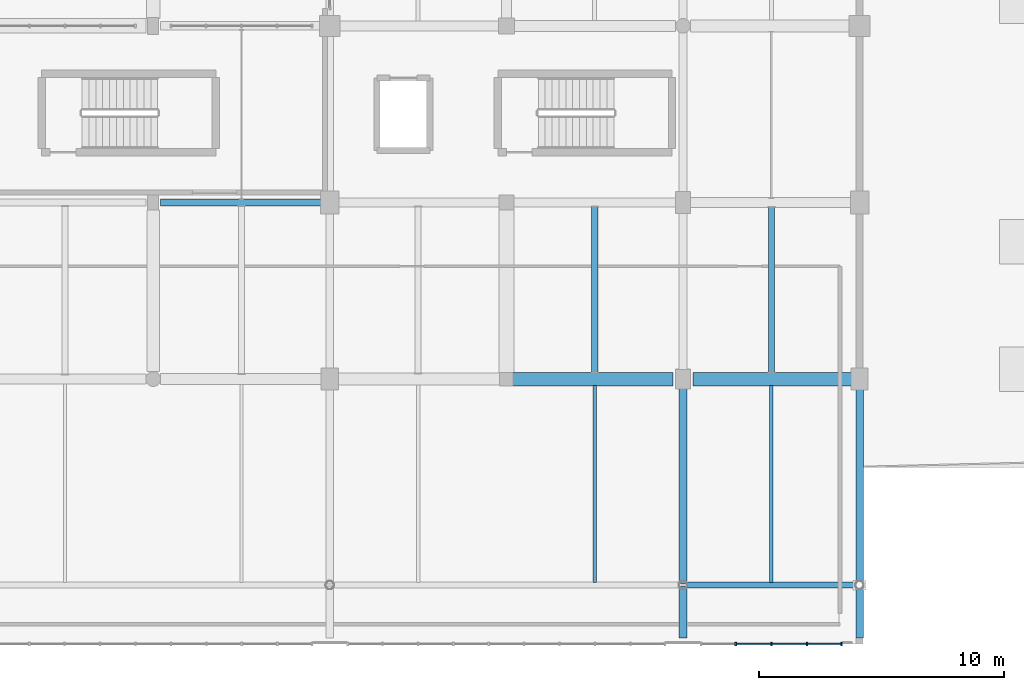
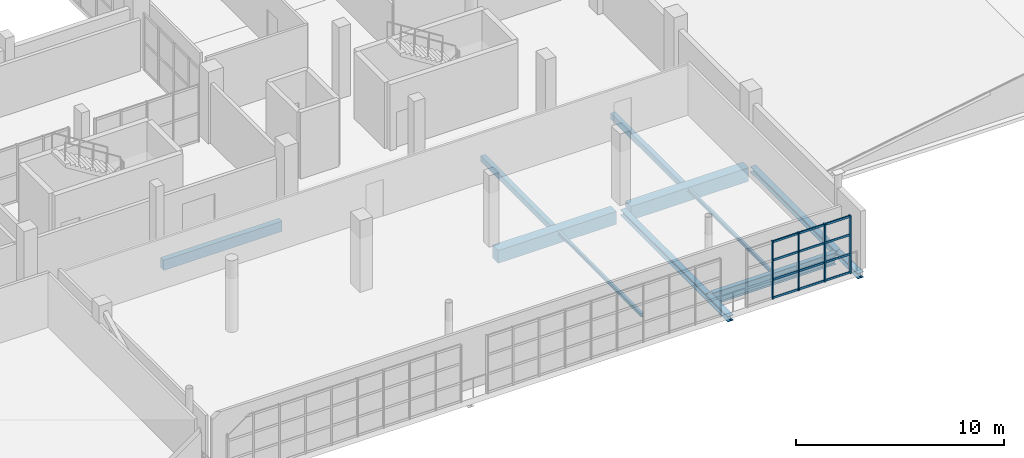
# One storey, part 34 of 90: 16 members, 12 beams, 1 element without a shape of its own.
"""IFC4 building model written with IfcOpenShell, lengths in metres."""

import ifcopenshell
import ifcopenshell.guid

model = None  # the IFC model being written
_history = None  # IfcOwnerHistory: only IFC2X3 demands one
_inside = {}  # id of a spatial element -> (the spatial element, [elements in it])
_under = {}  # id of a project, library or spatial element -> (it, [spatial elements below it])
_declared = {}  # id of a project -> (the project, [libraries it declares])
_typed = {}  # id of a type object -> (the type object, [elements of that type])
_made_of = {}  # id of a material, layer set ... -> (it, [elements and type objects made of it])


def new_model(schema):
    """Start an empty IFC model of exactly this schema.

    Asked for "IFC4X3", IfcOpenShell would pick the latest addendum, in which some entities
    have other attributes; the version numbers below select the first issue.
    IFC2X3 requires an IfcOwnerHistory on every rooted entity: one is made here for all.
    """
    global model, _history
    if schema == "IFC4X3":
        model = ifcopenshell.file(schema_version=(4, 3, 0, 0))
    else:
        model = ifcopenshell.file(schema=schema)
    _inside.clear()
    _under.clear()
    _declared.clear()
    _typed.clear()
    _made_of.clear()
    _history = None
    if model.schema == "IFC2X3":
        org = make("IfcOrganization", Name="unknown")
        user = make(
            "IfcPersonAndOrganization",
            ThePerson=make("IfcPerson", FamilyName="unknown"),
            TheOrganization=org,
        )
        app = make(
            "IfcApplication",
            ApplicationDeveloper=org,
            Version="unknown",
            ApplicationFullName="unknown",
            ApplicationIdentifier="unknown",
        )
        _history = make(
            "IfcOwnerHistory",
            OwningUser=user,
            OwningApplication=app,
            ChangeAction="ADDED",
            CreationDate=0,
        )
    return model


def make(cls, **values):
    """One entity of the class cls with the attributes given. An attribute that is None is left unset."""
    return model.create_entity(
        cls, **{name: value for name, value in values.items() if value is not None}
    )


def rooted(cls, **values):
    """An entity with a GlobalId (a new one), such as an element, a storey or a relation."""
    return make(cls, GlobalId=ifcopenshell.guid.new(), OwnerHistory=_history, **values)


def si_unit(unit_type, name, prefix=None):
    """IfcSIUnit, for example si_unit("LENGTHUNIT", "METRE", prefix="MILLI")."""
    return make("IfcSIUnit", UnitType=unit_type, Prefix=prefix, Name=name)


def assignment(units):
    """IfcUnitAssignment: the units of a project."""
    return None if units is None else make("IfcUnitAssignment", Units=units)


def point(xyz):
    """IfcCartesianPoint."""
    return None if xyz is None else make("IfcCartesianPoint", Coordinates=xyz)


def direction(xyz):
    """IfcDirection."""
    return None if xyz is None else make("IfcDirection", DirectionRatios=xyz)


def frame(location, z_axis=None, x_axis=None):
    """IfcAxis2Placement3D, a coordinate frame: its origin and axes. An axis left out is left unset."""
    return make(
        "IfcAxis2Placement3D",
        Location=point(location),
        Axis=direction(z_axis),
        RefDirection=direction(x_axis),
    )


def frame_2d(location, x_axis=None):
    """IfcAxis2Placement2D, a coordinate frame in the plane: its origin and x axis."""
    return make(
        "IfcAxis2Placement2D", Location=point(location), RefDirection=direction(x_axis)
    )


def origin():
    """The frame at (0, 0, 0) with its axes left unset."""
    return frame((0.0, 0.0, 0.0))


def origin_2d():
    """The frame at (0, 0) in the plane with its x axis left unset."""
    return frame_2d((0.0, 0.0))


def place(relative_to, where):
    """IfcLocalPlacement: puts the frame where relative to a parent placement (None: the world)."""
    return make(
        "IfcLocalPlacement", PlacementRelTo=relative_to, RelativePlacement=where
    )


def context(
    kind, dimensions, precision=None, world=None, true_north=None, identifier=None
):
    """IfcGeometricRepresentationContext, for example the 3D "Model" context."""
    return make(
        "IfcGeometricRepresentationContext",
        ContextIdentifier=identifier,
        ContextType=kind,
        CoordinateSpaceDimension=dimensions,
        Precision=precision,
        WorldCoordinateSystem=world,
        TrueNorth=true_north,
    )


def subcontext(parent, identifier, kind, view, scale=None):
    """IfcGeometricRepresentationSubContext, for example "Body" below "Model"."""
    return make(
        "IfcGeometricRepresentationSubContext",
        ContextIdentifier=identifier,
        ContextType=kind,
        ParentContext=parent,
        TargetScale=scale,
        TargetView=view,
    )


def project(units=None, contexts=None):
    """IfcProject with its units and contexts."""
    return rooted(
        "IfcProject",
        Name="project",
        RepresentationContexts=contexts,
        UnitsInContext=assignment(units),
    )


def spatial(cls, under=None, at=None, **own):
    """A site, building, storey or space (cls), placed at a placement, below another one or the project."""
    s = rooted(cls, ObjectPlacement=at, **own)
    if under is not None:
        _under.setdefault(under.id(), (under, []))[1].append(s)
    return s


def profile(cls, at=None, kind="AREA", **sizes):
    """A parametric profile (cls). Its sizes go by their IFC names, for example OverallWidth=200.0."""
    return make(cls, ProfileType=kind, Position=at, **sizes)


def rectangle(**sizes):
    """IfcRectangleProfileDef."""
    return profile("IfcRectangleProfileDef", **sizes)


def hollow_rectangle(**sizes):
    """IfcRectangleHollowProfileDef."""
    return profile("IfcRectangleHollowProfileDef", **sizes)


def i_section(**sizes):
    """IfcIShapeProfileDef."""
    return profile("IfcIShapeProfileDef", **sizes)


def extrude(swept, where, along, depth):
    """IfcExtrudedAreaSolid: the profile swept, set in the frame where, extruded along a direction by depth."""
    return make(
        "IfcExtrudedAreaSolid",
        SweptArea=swept,
        Position=where,
        ExtrudedDirection=direction(along),
        Depth=depth,
    )


def shape(context_of_items, identifier, shape_type, items):
    """IfcShapeRepresentation: the items that make up one representation, for example the "Body"."""
    return make(
        "IfcShapeRepresentation",
        ContextOfItems=context_of_items,
        RepresentationIdentifier=identifier,
        RepresentationType=shape_type,
        Items=items,
    )


def material(Name=None, Category=None):
    """IfcMaterial."""
    return make("IfcMaterial", Name=Name, Category=Category)


def material_profile(
    of_material, cross_section, Name=None, Category=None, Priority=None
):
    """IfcMaterialProfile: a cross section and its material."""
    return make(
        "IfcMaterialProfile",
        Name=Name,
        Material=of_material,
        Profile=cross_section,
        Priority=Priority,
        Category=Category,
    )


def profile_set(profiles, Name=None, composite=None):
    """IfcMaterialProfileSet."""
    return make(
        "IfcMaterialProfileSet",
        Name=Name,
        MaterialProfiles=profiles,
        CompositeProfile=composite,
    )


def made_of(thing, what):
    """Note that an element or type object is made of a material, layer set ...; save() writes the relation."""
    if what is not None:
        _made_of.setdefault(what.id(), (what, []))[1].append(thing)
    return thing


def type_object(cls, material=None, **own):
    """A type object (cls), such as IfcWallType, which elements share."""
    return made_of(rooted(cls, **own), material)


def element(
    cls,
    number,
    at=None,
    inside=None,
    cuts=None,
    type_object=None,
    material=None,
    context=None,
    identifier="Body",
    shape_type=None,
    held_by="IfcProductDefinitionShape",
    body=None,
    shapes=None,
    **own,
):
    """One element of the class cls, such as IfcWall. Its Tag is "e" and its number.

    at: its placement. inside: the storey or other place that contains it. cuts: it is an
    opening in that element (IfcRelVoidsElement). A single representation is given by context,
    identifier, shape_type and body (its items); several are given by shapes. held_by: the class
    of the entity that holds the representations. save() writes the other relations.
    """
    e = rooted(cls, Tag="e%d" % number, ObjectPlacement=at, **own)
    if body is not None:
        shapes = [shape(context, identifier, shape_type, body)]
    if shapes is not None:
        e.Representation = make(held_by, Representations=shapes)
    if inside is not None:
        _inside.setdefault(inside.id(), (inside, []))[1].append(e)
    if cuts is not None:
        rooted(
            "IfcRelVoidsElement", RelatingBuildingElement=cuts, RelatedOpeningElement=e
        )
    if type_object is not None:
        _typed.setdefault(type_object.id(), (type_object, []))[1].append(e)
    return made_of(e, material)


def aggregate(whole, parts):
    """IfcRelAggregates: a whole, such as a stair, and the parts it consists of."""
    return rooted("IfcRelAggregates", RelatingObject=whole, RelatedObjects=parts)


def save(model, path):
    """Write the relations noted so far, then the file.

    IfcRelAggregates (storeys below a building ...), IfcRelContainedInSpatialStructure (elements
    in a storey), IfcRelDefinesByType, IfcRelAssociatesMaterial and IfcRelDeclares: one each for
    every whole, place, type object, material and project.
    """
    for whole, parts in _under.values():
        aggregate(whole, parts)
    for where, things in _inside.values():
        rooted(
            "IfcRelContainedInSpatialStructure",
            RelatedElements=things,
            RelatingStructure=where,
        )
    for kind, things in _typed.values():
        rooted("IfcRelDefinesByType", RelatedObjects=things, RelatingType=kind)
    for what, things in _made_of.values():
        rooted("IfcRelAssociatesMaterial", RelatedObjects=things, RelatingMaterial=what)
    for by, libraries in _declared.values():
        rooted("IfcRelDeclares", RelatingContext=by, RelatedDefinitions=libraries)
    model.write(path)


model = new_model("IFC4")

# Units and contexts
model_context = context("Model", 3, precision=1e-05, world=origin(), true_north=direction((0.0, 1.0)))
body_context = subcontext(model_context, "Body", "Model", "MODEL_VIEW")
ifc_project = project(units=[si_unit("LENGTHUNIT", "METRE"), si_unit("AREAUNIT", "SQUARE_METRE"), si_unit("VOLUMEUNIT", "CUBIC_METRE"), si_unit("PLANEANGLEUNIT", "RADIAN"), si_unit("MASSUNIT", "GRAM", prefix="KILO")], contexts=[model_context])

# Site, building, storey
site_placement = place(None, origin())
site = spatial("IfcSite", under=ifc_project, at=site_placement, CompositionType="ELEMENT")
building_placement = place(site_placement, origin())
building = spatial("IfcBuilding", under=site, at=building_placement, Name="Solanera Park Tramway Depot", CompositionType="ELEMENT")
storey_placement = place(building_placement, frame((0.0, 0.0, 9.0)))
storey = spatial("IfcBuildingStorey", under=building, at=storey_placement, Name="L02", CompositionType="ELEMENT", Elevation=9.0)

# Curtain wall, members
ifc_material_1 = material(Name="Bronze-anodised thermally broken aluminium curtain wall", Category="aluminium")
curtain_wall_type = type_object("IfcCurtainWallType", Name="Cantilevered OCC Inclined Glazing Wall", PredefinedType="NOTDEFINED", material=ifc_material_1)
curtain_wall_placement = place(storey_placement, origin())
curtain_wall = element("IfcCurtainWall", 1, at=curtain_wall_placement, inside=storey, type_object=curtain_wall_type, Name="L02 Cantilevered OCC Inclined Glazing Wall #120", PredefinedType="NOTDEFINED")
ifc_material_2 = material(Name="Bronze-anodised structural aluminium 6063-T6", Category="aluminium")
ifc_material_profile_1 = material_profile(ifc_material_2, rectangle(XDim=0.06494140625, YDim=0.14990234375, at=origin_2d()), Name="Curtain Wall Mullion 65x150")
ifc_profile_set_1 = profile_set([ifc_material_profile_1], Name="Bronze-anodised structural aluminium 6063-T6")
member_type_1 = type_object("IfcMemberType", Name="Curtain Wall Mullion 65x150", PredefinedType="MULLION", material=ifc_profile_set_1)
member_1_placement = place(storey_placement, frame((182.14990234375, 0.0, 0.0), z_axis=(0.0, 0.0, 1.0), x_axis=(1.0, 0.0, 0.0)))
member_1 = element("IfcMember", 2, at=member_1_placement, type_object=member_type_1, Name="CW-L02-120 Mullion 2", PredefinedType="MULLION", context=body_context, shape_type="SweptSolid", body=[
    extrude(rectangle(XDim=0.06494140625, YDim=0.14990234375, at=origin_2d()), origin(), (0.0, 0.0, 1.0), 3.39990234375),
])
member_2_placement = place(storey_placement, frame((183.60009765625, 0.0, 0.0), z_axis=(0.0, 0.0, 1.0), x_axis=(1.0, 0.0, 0.0)))
member_2 = element("IfcMember", 3, at=member_2_placement, type_object=member_type_1, Name="CW-L02-120 Mullion 3", PredefinedType="MULLION", context=body_context, shape_type="SweptSolid", body=[
    extrude(rectangle(XDim=0.06494140625, YDim=0.14990234375, at=origin_2d()), origin(), (0.0, 0.0, 1.0), 3.39990234375),
])
member_3_placement = place(storey_placement, frame((185.050048828125, 0.0, 0.0), z_axis=(0.0, 0.0, 1.0), x_axis=(1.0, 0.0, 0.0)))
member_3 = element("IfcMember", 4, at=member_3_placement, type_object=member_type_1, Name="CW-L02-120 Mullion 4", PredefinedType="MULLION", context=body_context, shape_type="SweptSolid", body=[
    extrude(rectangle(XDim=0.06494140625, YDim=0.14990234375, at=origin_2d()), origin(), (0.0, 0.0, 1.0), 3.39990234375),
])
member_4_placement = place(storey_placement, frame((186.467529296875, 0.0, 0.0), z_axis=(0.0, 0.0, 1.0), x_axis=(1.0, 0.0, 0.0)))
member_4 = element("IfcMember", 5, at=member_4_placement, type_object=member_type_1, Name="CW-L02-120 Mullion 5", PredefinedType="MULLION", context=body_context, shape_type="SweptSolid", body=[
    extrude(rectangle(XDim=0.06494140625, YDim=0.14990234375, at=origin_2d()), origin(), (0.0, 0.0, 1.0), 3.39990234375),
])
ifc_material_3 = material(Name="Bronze-anodised structural aluminium 6063-T6", Category="aluminium")
ifc_material_profile_2 = material_profile(ifc_material_3, rectangle(XDim=0.06494140625, YDim=0.1201171875, at=origin_2d()), Name="Curtain Wall Transom 65x120")
ifc_profile_set_2 = profile_set([ifc_material_profile_2], Name="Bronze-anodised structural aluminium 6063-T6")
member_type_2 = type_object("IfcMemberType", Name="Curtain Wall Transom 65x120", PredefinedType="USERDEFINED", material=ifc_profile_set_2)
member_5_placement = place(storey_placement, frame((182.177978515625, 0.0, 0.06005859375), z_axis=(1.0, 0.0, 0.0), x_axis=(0.0, 1.0, 0.0)))
member_5 = element("IfcMember", 6, at=member_5_placement, type_object=member_type_2, Name="CW-L02-120 Transom R1.C2", ObjectType="TRANSOM", PredefinedType="USERDEFINED", context=body_context, shape_type="SweptSolid", body=[
    extrude(rectangle(XDim=0.06494140625, YDim=0.1201171875, at=origin_2d()), origin(), (0.0, 0.0, 1.0), 1.39404296875),
])
member_6_placement = place(storey_placement, frame((183.6279296875, 0.0, 0.06005859375), z_axis=(1.0, 0.0, 0.0), x_axis=(0.0, 1.0, 0.0)))
member_6 = element("IfcMember", 7, at=member_6_placement, type_object=member_type_2, Name="CW-L02-120 Transom R1.C3", ObjectType="TRANSOM", PredefinedType="USERDEFINED", context=body_context, shape_type="SweptSolid", body=[
    extrude(rectangle(XDim=0.06494140625, YDim=0.1201171875, at=origin_2d()), origin(), (0.0, 0.0, 1.0), 1.39404296875),
])
member_7_placement = place(storey_placement, frame((185.077880859375, 0.0, 0.06005859375), z_axis=(1.0, 0.0, 0.0), x_axis=(0.0, 1.0, 0.0)))
member_7 = element("IfcMember", 8, at=member_7_placement, type_object=member_type_2, Name="CW-L02-120 Transom R1.C4", ObjectType="TRANSOM", PredefinedType="USERDEFINED", context=body_context, shape_type="SweptSolid", body=[
    extrude(rectangle(XDim=0.06494140625, YDim=0.1201171875, at=origin_2d()), origin(), (0.0, 0.0, 1.0), 1.361572265625),
])
member_8_placement = place(storey_placement, frame((182.177978515625, 0.0, 1.13330078125), z_axis=(1.0, 0.0, 0.0), x_axis=(0.0, 1.0, 0.0)))
member_8 = element("IfcMember", 9, at=member_8_placement, type_object=member_type_2, Name="CW-L02-120 Transom R2.C2", ObjectType="TRANSOM", PredefinedType="USERDEFINED", context=body_context, shape_type="SweptSolid", body=[
    extrude(rectangle(XDim=0.06494140625, YDim=0.1201171875, at=origin_2d()), origin(), (0.0, 0.0, 1.0), 1.39404296875),
])
member_9_placement = place(storey_placement, frame((183.6279296875, 0.0, 1.13330078125), z_axis=(1.0, 0.0, 0.0), x_axis=(0.0, 1.0, 0.0)))
member_9 = element("IfcMember", 10, at=member_9_placement, type_object=member_type_2, Name="CW-L02-120 Transom R2.C3", ObjectType="TRANSOM", PredefinedType="USERDEFINED", context=body_context, shape_type="SweptSolid", body=[
    extrude(rectangle(XDim=0.06494140625, YDim=0.1201171875, at=origin_2d()), origin(), (0.0, 0.0, 1.0), 1.39404296875),
])
member_10_placement = place(storey_placement, frame((185.077880859375, 0.0, 1.13330078125), z_axis=(1.0, 0.0, 0.0), x_axis=(0.0, 1.0, 0.0)))
member_10 = element("IfcMember", 11, at=member_10_placement, type_object=member_type_2, Name="CW-L02-120 Transom R2.C4", ObjectType="TRANSOM", PredefinedType="USERDEFINED", context=body_context, shape_type="SweptSolid", body=[
    extrude(rectangle(XDim=0.06494140625, YDim=0.1201171875, at=origin_2d()), origin(), (0.0, 0.0, 1.0), 1.361572265625),
])
member_11_placement = place(storey_placement, frame((182.177978515625, 0.0, 2.2666015625), z_axis=(1.0, 0.0, 0.0), x_axis=(0.0, 1.0, 0.0)))
member_11 = element("IfcMember", 12, at=member_11_placement, type_object=member_type_2, Name="CW-L02-120 Transom R3.C2", ObjectType="TRANSOM", PredefinedType="USERDEFINED", context=body_context, shape_type="SweptSolid", body=[
    extrude(rectangle(XDim=0.06494140625, YDim=0.1201171875, at=origin_2d()), origin(), (0.0, 0.0, 1.0), 1.39404296875),
])
member_12_placement = place(storey_placement, frame((183.6279296875, 0.0, 2.2666015625), z_axis=(1.0, 0.0, 0.0), x_axis=(0.0, 1.0, 0.0)))
member_12 = element("IfcMember", 13, at=member_12_placement, type_object=member_type_2, Name="CW-L02-120 Transom R3.C3", ObjectType="TRANSOM", PredefinedType="USERDEFINED", context=body_context, shape_type="SweptSolid", body=[
    extrude(rectangle(XDim=0.06494140625, YDim=0.1201171875, at=origin_2d()), origin(), (0.0, 0.0, 1.0), 1.39404296875),
])
member_13_placement = place(storey_placement, frame((185.077880859375, 0.0, 2.2666015625), z_axis=(1.0, 0.0, 0.0), x_axis=(0.0, 1.0, 0.0)))
member_13 = element("IfcMember", 14, at=member_13_placement, type_object=member_type_2, Name="CW-L02-120 Transom R3.C4", ObjectType="TRANSOM", PredefinedType="USERDEFINED", context=body_context, shape_type="SweptSolid", body=[
    extrude(rectangle(XDim=0.06494140625, YDim=0.1201171875, at=origin_2d()), origin(), (0.0, 0.0, 1.0), 1.361572265625),
])
member_14_placement = place(storey_placement, frame((182.177978515625, 0.0, 3.340087890625), z_axis=(1.0, 0.0, 0.0), x_axis=(0.0, 1.0, 0.0)))
member_14 = element("IfcMember", 15, at=member_14_placement, type_object=member_type_2, Name="CW-L02-120 Transom R4.C2", ObjectType="TRANSOM", PredefinedType="USERDEFINED", context=body_context, shape_type="SweptSolid", body=[
    extrude(rectangle(XDim=0.06494140625, YDim=0.1201171875, at=origin_2d()), origin(), (0.0, 0.0, 1.0), 1.39404296875),
])
member_15_placement = place(storey_placement, frame((183.6279296875, 0.0, 3.340087890625), z_axis=(1.0, 0.0, 0.0), x_axis=(0.0, 1.0, 0.0)))
member_15 = element("IfcMember", 16, at=member_15_placement, type_object=member_type_2, Name="CW-L02-120 Transom R4.C3", ObjectType="TRANSOM", PredefinedType="USERDEFINED", context=body_context, shape_type="SweptSolid", body=[
    extrude(rectangle(XDim=0.06494140625, YDim=0.1201171875, at=origin_2d()), origin(), (0.0, 0.0, 1.0), 1.39404296875),
])
member_16_placement = place(storey_placement, frame((185.077880859375, 0.0, 3.340087890625), z_axis=(1.0, 0.0, 0.0), x_axis=(0.0, 1.0, 0.0)))
member_16 = element("IfcMember", 17, at=member_16_placement, type_object=member_type_2, Name="CW-L02-120 Transom R4.C4", ObjectType="TRANSOM", PredefinedType="USERDEFINED", context=body_context, shape_type="SweptSolid", body=[
    extrude(rectangle(XDim=0.06494140625, YDim=0.1201171875, at=origin_2d()), origin(), (0.0, 0.0, 1.0), 1.361572265625),
])
aggregate(curtain_wall, [member_1, member_2, member_3, member_4, member_5, member_6, member_7, member_8, member_9, member_10, member_11, member_12, member_13, member_14, member_15, member_16])

# Beams
ifc_material_4 = material(Name="Concrete N40 (C40/50)", Category="concrete")
ifc_material_profile_3 = material_profile(ifc_material_4, rectangle(XDim=0.300048828125, YDim=0.60009765625, at=origin_2d()), Name="RCB 300x600")
ifc_profile_set_3 = profile_set([ifc_material_profile_3], Name="Concrete N40 (C40/50)")
beam_type_1 = type_object("IfcBeamType", Name="RC Floor Beam RCB 300x600", PredefinedType="BEAM", material=ifc_profile_set_3)
beam_1_placement = place(storey_placement, frame((158.699951171875, 18.0, -0.6640625), z_axis=(1.0, 0.0, 0.0), x_axis=(0.0, 1.0, 0.0)))
element("IfcBeam", 18, at=beam_1_placement, inside=storey, type_object=beam_type_1, Name="L02 Primary X-Girder RCB 300x600 #0116", PredefinedType="BEAM", context=body_context, shape_type="SweptSolid", body=[
    extrude(rectangle(XDim=0.300048828125, YDim=0.60009765625, at=origin_2d()), origin(), (0.0, 0.0, 1.0), 6.574951171875),
])
ifc_material_5 = material(Name="Concrete N40 (C40/50)", Category="concrete")
ifc_material_profile_4 = material_profile(ifc_material_5, rectangle(XDim=0.550048828125, YDim=0.75, at=origin_2d()), Name="RCB 550x750")
ifc_profile_set_4 = profile_set([ifc_material_profile_4], Name="Concrete N40 (C40/50)")
beam_type_2 = type_object("IfcBeamType", Name="RC Floor Beam RCB 550x750", PredefinedType="BEAM", material=ifc_profile_set_4)
beam_2_placement = place(storey_placement, frame((173.02490234375, 10.800048828125, -0.739013671875), z_axis=(1.0, 0.0, 0.0), x_axis=(0.0, 1.0, 0.0)))
element("IfcBeam", 19, at=beam_2_placement, inside=storey, type_object=beam_type_2, Name="L02 Primary X-Girder RCB 550x750 #0107", PredefinedType="BEAM", context=body_context, shape_type="SweptSolid", body=[
    extrude(rectangle(XDim=0.550048828125, YDim=0.75, at=origin_2d()), origin(), (0.0, 0.0, 1.0), 6.5751953125),
])
ifc_material_6 = material(Name="Concrete N40 (C40/50)", Category="concrete")
ifc_material_profile_5 = material_profile(ifc_material_6, rectangle(XDim=0.550048828125, YDim=0.800048828125, at=origin_2d()), Name="RCB 550x800")
ifc_profile_set_5 = profile_set([ifc_material_profile_5], Name="Concrete N40 (C40/50)")
beam_type_3 = type_object("IfcBeamType", Name="RC Floor Beam RCB 550x800", PredefinedType="BEAM", material=ifc_profile_set_5)
beam_3_placement = place(storey_placement, frame((180.39990234375, 10.800048828125, -0.763916015625), z_axis=(1.0, 0.0, 0.0), x_axis=(0.0, 1.0, 0.0)))
element("IfcBeam", 20, at=beam_3_placement, inside=storey, type_object=beam_type_3, Name="L02 Primary X-Girder RCB 550x800 #0108", PredefinedType="BEAM", context=body_context, shape_type="SweptSolid", body=[
    extrude(rectangle(XDim=0.550048828125, YDim=0.800048828125, at=origin_2d()), origin(), (0.0, 0.0, 1.0), 6.525146484375),
])
ifc_material_7 = material(Name="Steel AS/NZS 3679.1 Grade 350", Category="steel")
ifc_material_profile_6 = material_profile(ifc_material_7, i_section(OverallWidth=0.310546875, OverallDepth=0.3271484375, WebThickness=0.015625, FlangeThickness=0.02490234375, at=origin_2d()), Name="310UC158")
ifc_profile_set_6 = profile_set([ifc_material_profile_6], Name="Steel AS/NZS 3679.1 Grade 350")
beam_type_4 = type_object("IfcBeamType", Name="Steel Beam 310UC158", PredefinedType="BEAM", material=ifc_profile_set_6)
beam_4_placement = place(storey_placement, frame((180.0, 0.25, -0.550048828125), z_axis=(0.0, 1.0, 0.0), x_axis=(-1.0, 0.0, 0.0)))
element("IfcBeam", 21, at=beam_4_placement, inside=storey, type_object=beam_type_4, Name="L02 Transfer Truss Nose Cantilever 310UC158 #0338", PredefinedType="BEAM", context=body_context, shape_type="SweptSolid", body=[
    extrude(i_section(OverallWidth=0.310546875, OverallDepth=0.3271484375, WebThickness=0.015625, FlangeThickness=0.02490234375, at=origin_2d()), origin(), (0.0, 0.0, 1.0), 2.110107421875),
])
beam_5_placement = place(storey_placement, frame((180.0, 2.43994140625, -0.550048828125), z_axis=(0.0, 1.0, 0.0), x_axis=(-1.0, 0.0, 0.0)))
element("IfcBeam", 22, at=beam_5_placement, inside=storey, type_object=beam_type_4, Name="L02 Transfer Truss Overhang Chord 310UC158 #0339", PredefinedType="BEAM", context=body_context, shape_type="SweptSolid", body=[
    extrude(i_section(OverallWidth=0.310546875, OverallDepth=0.3271484375, WebThickness=0.015625, FlangeThickness=0.02490234375, at=origin_2d()), origin(), (0.0, 0.0, 1.0), 8.16015625),
])
beam_6_placement = place(storey_placement, frame((187.199951171875, 0.25, -0.550048828125), z_axis=(0.0, 1.0, 0.0), x_axis=(-1.0, 0.0, 0.0)))
element("IfcBeam", 23, at=beam_6_placement, inside=storey, type_object=beam_type_4, Name="L02 Azotea Nose Cantilever 310UC158 #0350", PredefinedType="BEAM", context=body_context, shape_type="SweptSolid", body=[
    extrude(i_section(OverallWidth=0.310546875, OverallDepth=0.3271484375, WebThickness=0.015625, FlangeThickness=0.02490234375, at=origin_2d()), origin(), (0.0, 0.0, 1.0), 2.110107421875),
])
beam_7_placement = place(storey_placement, frame((187.199951171875, 2.43994140625, -0.550048828125), z_axis=(0.0, 1.0, 0.0), x_axis=(-1.0, 0.0, 0.0)))
element("IfcBeam", 24, at=beam_7_placement, inside=storey, type_object=beam_type_4, Name="L02 Azotea Backspan Tie Girder 310UC158 #0351", PredefinedType="BEAM", context=body_context, shape_type="SweptSolid", body=[
    extrude(i_section(OverallWidth=0.310546875, OverallDepth=0.3271484375, WebThickness=0.015625, FlangeThickness=0.02490234375, at=origin_2d()), origin(), (0.0, 0.0, 1.0), 8.16015625),
])
ifc_material_8 = material(Name="Steel AS/NZS 3679.1 Grade 350", Category="steel")
ifc_material_profile_7 = material_profile(ifc_material_8, i_section(OverallWidth=0.25, OverallDepth=0.699951171875, WebThickness=0.010009765625, FlangeThickness=0.02001953125, at=origin_2d()), Name="700WB130")
ifc_profile_set_7 = profile_set([ifc_material_profile_7], Name="Steel AS/NZS 3679.1 Grade 350")
beam_type_5 = type_object("IfcBeamType", Name="Steel Beam 700WB130", PredefinedType="BEAM", material=ifc_profile_set_7)
beam_8_placement = place(storey_placement, frame((180.179931640625, 2.39990234375, -0.715087890625), z_axis=(1.0, 0.0, 0.0), x_axis=(0.0, 1.0, 0.0)))
element("IfcBeam", 25, at=beam_8_placement, inside=storey, type_object=beam_type_5, Name="L02 Head-Block Transfer Tie Girder 700WB130 #0365", PredefinedType="BEAM", context=body_context, shape_type="SweptSolid", body=[
    extrude(i_section(OverallWidth=0.25, OverallDepth=0.699951171875, WebThickness=0.010009765625, FlangeThickness=0.02001953125, at=origin_2d()), origin(), (0.0, 0.0, 1.0), 6.840087890625),
])
ifc_material_9 = material(Name="Steel AS/NZS 3679.1 Grade 350", Category="steel")
ifc_material_profile_8 = material_profile(ifc_material_9, i_section(OverallWidth=0.13330078125, OverallDepth=0.203125, WebThickness=0.005859375, FlangeThickness=0.0078125, at=origin_2d()), Name="200UB25.4")
ifc_profile_set_8 = profile_set([ifc_material_profile_8], Name="Steel AS/NZS 3679.1 Grade 350")
beam_type_6 = type_object("IfcBeamType", Name="Steel Joist Purlin 200UB25.4", PredefinedType="JOIST", material=ifc_profile_set_8)
for number, where, z_axis, x_axis, name in (
    (26, (176.39990234375, 2.51708984375, -0.465576171875), (0.0, 1.0, 0.0), (-1.0, 0.0, 0.0), "L02 Secondary Floor Joist 200UB25.4 #0169"),
    (27, (183.60009765625, 2.51708984375, -0.465576171875), (0.0, 1.0, 0.0), (-1.0, 0.0, 0.0), "L02 Secondary Floor Joist 200UB25.4 #0170"),
):
    element("IfcBeam", number, at=place(storey_placement, frame(where, z_axis=z_axis, x_axis=x_axis)), inside=storey, type_object=beam_type_6, Name=name, PredefinedType="JOIST", context=body_context, shape_type="SweptSolid", body=[
        extrude(i_section(OverallWidth=0.13330078125, OverallDepth=0.203125, WebThickness=0.005859375, FlangeThickness=0.0078125, at=origin_2d()), origin(), (0.0, 0.0, 1.0), 8.015869140625),
    ])
ifc_material_10 = material(Name="Steel AS/NZS 1163 Grade C350L0", Category="steel")
ifc_material_profile_9 = material_profile(ifc_material_10, hollow_rectangle(XDim=0.25, YDim=0.35009765625, WallThickness=0.010009765625, at=origin_2d()), Name="350x250x10.0 RHS")
ifc_profile_set_9 = profile_set([ifc_material_profile_9], Name="Steel AS/NZS 1163 Grade C350L0")
beam_type_7 = type_object("IfcBeamType", Name="Steel Joist Purlin 350x250x10.0 RHS", PredefinedType="JOIST", material=ifc_profile_set_9)
beam_9_placement = place(storey_placement, frame((176.39990234375, 11.06689453125, -0.5390625), z_axis=(0.0, 1.0, 0.0), x_axis=(-1.0, 0.0, 0.0)))
element("IfcBeam", 28, at=beam_9_placement, inside=storey, type_object=beam_type_7, Name="L02 Secondary Floor Joist 350x250x10.0 RHS #0180", PredefinedType="JOIST", context=body_context, shape_type="SweptSolid", body=[
    extrude(hollow_rectangle(XDim=0.25, YDim=0.35009765625, WallThickness=0.010009765625, at=origin_2d()), origin(), (0.0, 0.0, 1.0), 6.76611328125),
])
beam_10_placement = place(storey_placement, frame((183.60009765625, 11.06689453125, -0.5390625), z_axis=(0.0, 1.0, 0.0), x_axis=(-1.0, 0.0, 0.0)))
element("IfcBeam", 29, at=beam_10_placement, inside=storey, type_object=beam_type_7, Name="L02 Secondary Floor Joist 350x250x10.0 RHS #0181", PredefinedType="JOIST", context=body_context, shape_type="SweptSolid", body=[
    extrude(hollow_rectangle(XDim=0.25, YDim=0.35009765625, WallThickness=0.010009765625, at=origin_2d()), origin(), (0.0, 0.0, 1.0), 6.7412109375),
])

save(model, "model.ifc")
